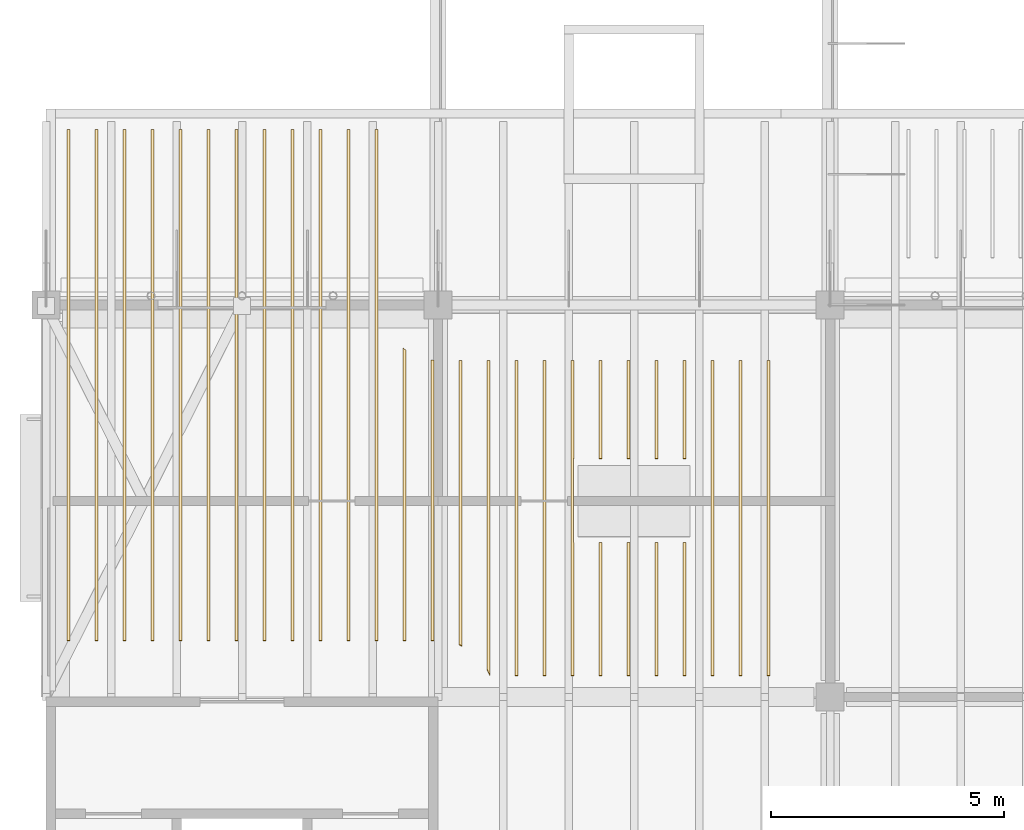
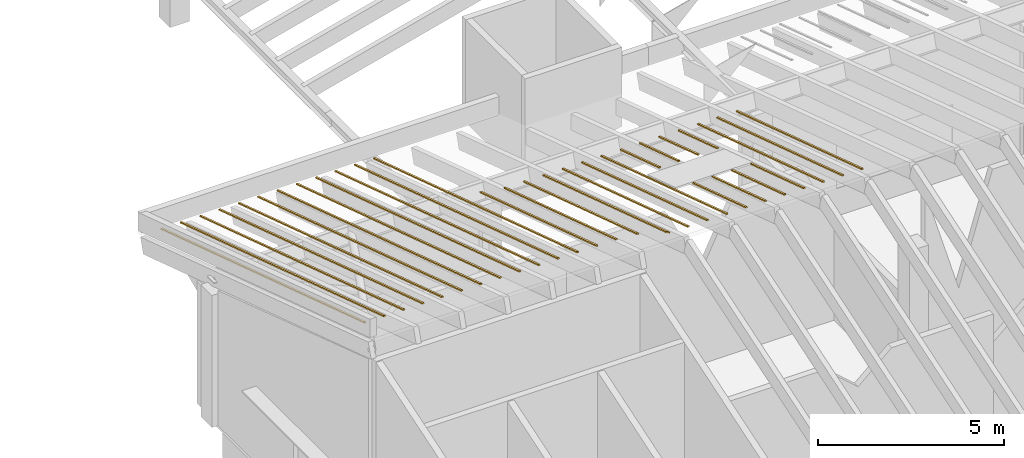
# One storey, part 36 of 59: 30 coverings.
"""IFC4 building model written with IfcOpenShell, lengths in metres."""

from ifc_helpers import new_model, si_unit, direction, frame, origin, place, context, subcontext, project, spatial, polyline, outline, extrude, material, layer, layer_set, type_object, element, save


model = new_model("IFC4")

# Units and contexts
model_context = context("Model", 3, precision=1e-05, world=origin(), true_north=direction((0.0, 1.0)))
body_context = subcontext(model_context, "Body", "Model", "MODEL_VIEW")
ifc_project = project(units=[si_unit("LENGTHUNIT", "METRE"), si_unit("AREAUNIT", "SQUARE_METRE"), si_unit("VOLUMEUNIT", "CUBIC_METRE"), si_unit("PLANEANGLEUNIT", "RADIAN"), si_unit("MASSUNIT", "GRAM", prefix="KILO")], contexts=[model_context])

# Site, building, storey
site_placement = place(None, origin())
site = spatial("IfcSite", under=ifc_project, at=site_placement, CompositionType="ELEMENT")
building_placement = place(site_placement, origin())
building = spatial("IfcBuilding", under=site, at=building_placement, Name="Almond Square Museum", CompositionType="ELEMENT")
storey_placement = place(building_placement, frame((0.0, 0.0, 25.0)))
storey = spatial("IfcBuildingStorey", under=building, at=storey_placement, Name="L04", CompositionType="ELEMENT", Elevation=25.0)

# Coverings
ifc_material = material(Name="Zinc standing seam")
ifc_layer = layer(ifc_material, 0.0400390625)
ifc_layer_set = layer_set([ifc_layer], Name="Zinc standing seam")
covering_type = type_object("IfcCoveringType", Name="Roof standing seam rib 60 x 40", PredefinedType="CLADDING", material=ifc_layer_set)
for number, where, z_axis, x_axis, name in (
    (1, (6.510009765625, 9.60009765625, 7.33935546875), (0.0, 0.30901750656, 0.951056349876), (0.0, 0.951056349876, -0.30901750656), "Roof standing seam rib"),
    (2, (7.110107421875, 9.60009765625, 7.33935546875), (0.0, 0.30901750656, 0.951056349876), (0.0, 0.951056349876, -0.30901750656), "Roof standing seam rib"),
    (3, (7.7099609375, 9.60009765625, 7.33935546875), (0.0, 0.30901750656, 0.951056349876), (0.0, 0.951056349876, -0.30901750656), "Roof standing seam rib"),
    (4, (8.31005859375, 9.60009765625, 7.33935546875), (0.0, 0.30901750656, 0.951056349876), (0.0, 0.951056349876, -0.30901750656), "Roof standing seam rib"),
):
    element("IfcCovering", number, at=place(storey_placement, frame(where, z_axis=z_axis, x_axis=x_axis)), inside=storey, type_object=covering_type, Name=name, PredefinedType="CLADDING", context=body_context, shape_type="SweptSolid", body=[
        extrude(outline(polyline([(0.0, 0.0), (11.513462029147188, 0.0), (11.513462029147188, 0.06005859375), (0.0, 0.06005859375), (0.0, 0.0)])), origin(), (0.0, 0.0, 1.0), 0.0400390625),
    ])
covering_1_placement = place(storey_placement, frame((8.909912109375, 9.60009765625, 7.33935546875), z_axis=(0.0, 0.30901750656, 0.951056349876), x_axis=(0.0, 0.951056349876, -0.30901750656)))
element("IfcCovering", 5, at=covering_1_placement, inside=storey, type_object=covering_type, Name="Roof standing seam rib", PredefinedType="CLADDING", context=body_context, shape_type="SweptSolid", body=[
    extrude(outline(polyline([(0.0, 0.0), (11.513462029147188, 0.0), (11.513462029147188, 0.059814453125), (0.0, 0.059814453125), (0.0, 0.0)])), origin(), (0.0, 0.0, 1.0), 0.0400390625),
])
for number, where, z_axis, x_axis, name in (
    (6, (9.510009765625, 9.60009765625, 7.33935546875), (0.0, 0.30901750656, 0.951056349876), (0.0, 0.951056349876, -0.30901750656), "Roof standing seam rib"),
    (7, (10.110107421875, 9.60009765625, 7.33935546875), (0.0, 0.30901750656, 0.951056349876), (0.0, 0.951056349876, -0.30901750656), "Roof standing seam rib"),
    (8, (10.7099609375, 9.60009765625, 7.33935546875), (0.0, 0.30901750656, 0.951056349876), (0.0, 0.951056349876, -0.30901750656), "Roof standing seam rib"),
    (9, (11.31005859375, 9.60009765625, 7.33935546875), (0.0, 0.30901750656, 0.951056349876), (0.0, 0.951056349876, -0.30901750656), "Roof standing seam rib"),
):
    element("IfcCovering", number, at=place(storey_placement, frame(where, z_axis=z_axis, x_axis=x_axis)), inside=storey, type_object=covering_type, Name=name, PredefinedType="CLADDING", context=body_context, shape_type="SweptSolid", body=[
        extrude(outline(polyline([(0.0, 0.0), (11.513462029147188, 0.0), (11.513462029147188, 0.06005859375), (0.0, 0.06005859375), (0.0, 0.0)])), origin(), (0.0, 0.0, 1.0), 0.0400390625),
    ])
covering_2_placement = place(storey_placement, frame((11.909912109375, 9.60009765625, 7.33935546875), z_axis=(0.0, 0.30901750656, 0.951056349876), x_axis=(0.0, 0.951056349876, -0.30901750656)))
element("IfcCovering", 10, at=covering_2_placement, inside=storey, type_object=covering_type, Name="Roof standing seam rib", PredefinedType="CLADDING", context=body_context, shape_type="SweptSolid", body=[
    extrude(outline(polyline([(0.0, 0.0), (11.513462029147188, 0.0), (11.513462029147188, 0.059814453125), (0.0, 0.059814453125), (0.0, 0.0)])), origin(), (0.0, 0.0, 1.0), 0.0400390625),
])
for number, where, z_axis, x_axis, name in (
    (11, (12.510009765625, 9.60009765625, 7.33935546875), (0.0, 0.30901750656, 0.951056349876), (0.0, 0.951056349876, -0.30901750656), "Roof standing seam rib"),
    (12, (13.110107421875, 9.60009765625, 7.33935546875), (0.0, 0.30901750656, 0.951056349876), (0.0, 0.951056349876, -0.30901750656), "Roof standing seam rib"),
):
    element("IfcCovering", number, at=place(storey_placement, frame(where, z_axis=z_axis, x_axis=x_axis)), inside=storey, type_object=covering_type, Name=name, PredefinedType="CLADDING", context=body_context, shape_type="SweptSolid", body=[
        extrude(outline(polyline([(0.0, 0.0), (11.513462029147188, 0.0), (11.513462029147188, 0.06005859375), (0.0, 0.06005859375), (0.0, 0.0)])), origin(), (0.0, 0.0, 1.0), 0.0400390625),
    ])
covering_3_placement = place(storey_placement, frame((13.64990234375, 9.60009765625, 7.33935546875), z_axis=(0.000256242979, 0.309003627529, 0.951060824823), x_axis=(0.99999996717, -7.9180013e-05, -0.000243702667)))
element("IfcCovering", 13, at=covering_3_placement, inside=storey, type_object=covering_type, Name="Roof standing seam rib", PredefinedType="CLADDING", context=body_context, shape_type="SweptSolid", body=[
    extrude(outline(polyline([(0.0, 0.0), (0.060058591778262393, 0.0), (0.06005859572173767, 6.539525980668153), (-3.943475276467663e-09, 6.586236012509769), (0.0, 0.0)])), origin(), (0.0, 0.0, 1.0), 0.0400390625),
])
covering_4_placement = place(storey_placement, frame((14.31005859375, 15.6044921875, 5.388427734375), z_axis=(0.000237481739, 0.309012213447, 0.951058040049), x_axis=(-0.994355528187, 0.100979414841, -0.032561347371)))
element("IfcCovering", 14, at=covering_4_placement, inside=storey, type_object=covering_type, Name="Roof standing seam rib", PredefinedType="CLADDING", context=body_context, shape_type="SweptSolid", body=[
    extrude(outline(polyline([(0.0, 0.0), (0.060399520528310234, -5.421010862427522e-19), (-0.6101254871857762, 6.284124969813064), (-0.6698450818962156, 6.277752804763383), (0.0, 0.0)])), origin(), (0.0, 0.0, 1.0), 0.0400390625),
])
covering_5_placement = place(storey_placement, frame((14.909912109375, 15.60009765625, 5.389892578125), z_axis=(-0.00118391383, 0.309009275505, 0.951058287383), x_axis=(-0.999999299174, -0.000365840611, -0.001125971849)))
element("IfcCovering", 15, at=covering_5_placement, inside=storey, type_object=covering_type, Name="Roof standing seam rib", PredefinedType="CLADDING", context=body_context, shape_type="SweptSolid", body=[
    extrude(outline(polyline([(0.0, 0.0), (0.059814411205462686, -3.2425480012078685e-21), (0.05981449504456669, 6.401404306245597), (-8.38391040055772e-08, 6.43020117002597), (0.0, 0.0)])), origin(), (0.0, 0.0, 1.0), 0.0400390625),
])
covering_6_placement = place(storey_placement, frame((15.510009765625, 15.60009765625, 5.389892578125), z_axis=(0.000107203114, 0.309010646534, 0.951058572768), x_axis=(-0.999999994254, 3.3126904e-05, 0.000101956441)))
element("IfcCovering", 16, at=covering_6_placement, inside=storey, type_object=covering_type, Name="Roof standing seam rib", PredefinedType="CLADDING", context=body_context, shape_type="SweptSolid", body=[
    extrude(outline(polyline([(0.0, 0.0), (0.060058593404888075, -4.069728613760896e-22), (0.06005859409511193, 6.961303551462021), (-6.902238563143669e-10, 7.09170504431203), (0.0, 0.0)])), origin(), (0.0, 0.0, 1.0), 0.0400390625),
])
for number, where, z_axis, x_axis, name in (
    (17, (16.050048828125, 8.85009765625, 7.5830078125), (0.0, 0.309005178422, 0.95106035545), (1.0, 0.0, 0.0), "Roof standing seam rib"),
    (18, (16.64990234375, 8.85009765625, 7.5830078125), (0.0, 0.309005178422, 0.95106035545), (1.0, 0.0, 0.0), "Roof standing seam rib"),
):
    element("IfcCovering", number, at=place(storey_placement, frame(where, z_axis=z_axis, x_axis=x_axis)), inside=storey, type_object=covering_type, Name=name, PredefinedType="CLADDING", context=body_context, shape_type="SweptSolid", body=[
        extrude(outline(polyline([(0.0, 0.0), (0.06005859375, 0.0), (0.06005859375, 7.0973413635845155), (0.0, 7.0973413635845155), (0.0, 0.0)])), origin(), (0.0, 0.0, 1.0), 0.0400390625),
    ])
covering_7_placement = place(storey_placement, frame((17.300048828125, 13.5, 6.072265625), z_axis=(0.000333647789, 0.309008046431, 0.951059365087), x_axis=(0.99999994434, -0.000103099857, -0.000317318872)))
element("IfcCovering", 19, at=covering_7_placement, inside=storey, type_object=covering_type, Name="Roof standing seam rib", PredefinedType="CLADDING", context=body_context, shape_type="SweptSolid", body=[
    extrude(outline(polyline([(0.0, 0.0), (0.010009765067852188, 1.3565762045869654e-22), (0.010009775144896956, 2.2081764286342733), (-0.050048815262216176, 2.2081764286342733), (-0.0500488080784303, -4.889164934917583), (0.010009782328682833, -4.889164934917583), (0.010009808170567458, -1.892635596065141), (4.310271527099407e-08, -1.892635596065141), (0.0, 0.0)])), origin(), (0.0, 0.0, 1.0), 0.0400390625),
])
covering_8_placement = place(storey_placement, frame((17.85009765625, 13.5, 6.072265625), z_axis=(0.0, 0.30902107185, 0.951055191433), x_axis=(1.0, 0.0, 0.0)))
element("IfcCovering", 20, at=covering_8_placement, inside=storey, type_object=covering_type, Name="Roof standing seam rib", PredefinedType="CLADDING", context=body_context, shape_type="SweptSolid", body=[
    extrude(outline(polyline([(0.0, 0.0), (0.059814453125, 0.0), (0.059814453125, 2.208176428840824), (0.0, 2.208176428840824), (0.0, 0.0)])), origin(), (0.0, 0.0, 1.0), 0.0400390625),
])
covering_9_placement = place(storey_placement, frame((17.85009765625, 11.699951171875, 6.656982421875), z_axis=(0.0, 0.309032645971, 0.951051430641), x_axis=(0.0, -0.951051430641, 0.309032645971)))
element("IfcCovering", 21, at=covering_9_placement, inside=storey, type_object=covering_type, Name="Roof standing seam rib", PredefinedType="CLADDING", context=body_context, shape_type="SweptSolid", body=[
    extrude(outline(polyline([(0.0, 0.0), (2.9965293398534176, 0.0), (2.9965293398534176, 0.059814453125), (0.0, 0.059814453125), (0.0, 0.0)])), origin(), (0.0, 0.0, 1.0), 0.0400390625),
])
covering_10_placement = place(storey_placement, frame((18.449951171875, 13.5, 6.072265625), z_axis=(0.0, 0.30902107185, 0.951055191433), x_axis=(1.0, 0.0, 0.0)))
element("IfcCovering", 22, at=covering_10_placement, inside=storey, type_object=covering_type, Name="Roof standing seam rib", PredefinedType="CLADDING", context=body_context, shape_type="SweptSolid", body=[
    extrude(outline(polyline([(0.0, 0.0), (0.06005859375, 0.0), (0.06005859375, 2.208176428840824), (0.0, 2.208176428840824), (0.0, 0.0)])), origin(), (0.0, 0.0, 1.0), 0.0400390625),
])
covering_11_placement = place(storey_placement, frame((18.449951171875, 11.699951171875, 6.656982421875), z_axis=(0.0, 0.309032645971, 0.951051430641), x_axis=(0.0, -0.951051430641, 0.309032645971)))
element("IfcCovering", 23, at=covering_11_placement, inside=storey, type_object=covering_type, Name="Roof standing seam rib", PredefinedType="CLADDING", context=body_context, shape_type="SweptSolid", body=[
    extrude(outline(polyline([(0.0, 0.0), (2.9965293398534176, 0.0), (2.9965293398534176, 0.060058593750000014), (0.0, 0.060058593750000014), (0.0, 0.0)])), origin(), (0.0, 0.0, 1.0), 0.0400390625),
])
covering_12_placement = place(storey_placement, frame((19.050048828125, 13.5, 6.072265625), z_axis=(0.0, 0.30902107185, 0.951055191433), x_axis=(1.0, 0.0, 0.0)))
element("IfcCovering", 24, at=covering_12_placement, inside=storey, type_object=covering_type, Name="Roof standing seam rib", PredefinedType="CLADDING", context=body_context, shape_type="SweptSolid", body=[
    extrude(outline(polyline([(0.0, 0.0), (0.06005859375, 0.0), (0.06005859375, 2.208176428840824), (0.0, 2.208176428840824), (0.0, 0.0)])), origin(), (0.0, 0.0, 1.0), 0.0400390625),
])
covering_13_placement = place(storey_placement, frame((19.050048828125, 11.699951171875, 6.656982421875), z_axis=(0.0, 0.309032645971, 0.951051430641), x_axis=(0.0, -0.951051430641, 0.309032645971)))
element("IfcCovering", 25, at=covering_13_placement, inside=storey, type_object=covering_type, Name="Roof standing seam rib", PredefinedType="CLADDING", context=body_context, shape_type="SweptSolid", body=[
    extrude(outline(polyline([(0.0, 0.0), (2.9965293398534176, 0.0), (2.9965293398534176, 0.060058593750000014), (0.0, 0.060058593750000014), (0.0, 0.0)])), origin(), (0.0, 0.0, 1.0), 0.0400390625),
])
covering_14_placement = place(storey_placement, frame((19.64990234375, 13.5, 6.072265625), z_axis=(0.0, 0.30902107185, 0.951055191433), x_axis=(1.0, 0.0, 0.0)))
element("IfcCovering", 26, at=covering_14_placement, inside=storey, type_object=covering_type, Name="Roof standing seam rib", PredefinedType="CLADDING", context=body_context, shape_type="SweptSolid", body=[
    extrude(outline(polyline([(0.0, 0.0), (0.06005859375, 0.0), (0.06005859375, 2.208176428840824), (0.0, 2.208176428840824), (0.0, 0.0)])), origin(), (0.0, 0.0, 1.0), 0.0400390625),
])
covering_15_placement = place(storey_placement, frame((19.64990234375, 11.699951171875, 6.656982421875), z_axis=(0.0, 0.309032645971, 0.951051430641), x_axis=(0.0, -0.951051430641, 0.309032645971)))
element("IfcCovering", 27, at=covering_15_placement, inside=storey, type_object=covering_type, Name="Roof standing seam rib", PredefinedType="CLADDING", context=body_context, shape_type="SweptSolid", body=[
    extrude(outline(polyline([(0.0, 0.0), (2.9965293398534176, 0.0), (2.9965293398534176, 0.060058593750000014), (0.0, 0.060058593750000014), (0.0, 0.0)])), origin(), (0.0, 0.0, 1.0), 0.0400390625),
])
covering_16_placement = place(storey_placement, frame((20.25, 8.85009765625, 7.5830078125), z_axis=(0.0, 0.309005178422, 0.95106035545), x_axis=(1.0, 0.0, 0.0)))
element("IfcCovering", 28, at=covering_16_placement, inside=storey, type_object=covering_type, Name="Roof standing seam rib", PredefinedType="CLADDING", context=body_context, shape_type="SweptSolid", body=[
    extrude(outline(polyline([(0.0, 0.0), (0.06005859375, 0.0), (0.06005859375, 7.0973413635845155), (0.0, 7.0973413635845155), (0.0, 0.0)])), origin(), (0.0, 0.0, 1.0), 0.0400390625),
])
covering_17_placement = place(storey_placement, frame((20.85009765625, 8.85009765625, 7.5830078125), z_axis=(0.0, 0.309005178422, 0.95106035545), x_axis=(1.0, 0.0, 0.0)))
element("IfcCovering", 29, at=covering_17_placement, inside=storey, type_object=covering_type, Name="Roof standing seam rib", PredefinedType="CLADDING", context=body_context, shape_type="SweptSolid", body=[
    extrude(outline(polyline([(0.0, 0.0), (0.059814453125, 0.0), (0.059814453125, 7.0973413635845155), (0.0, 7.0973413635845155), (0.0, 0.0)])), origin(), (0.0, 0.0, 1.0), 0.0400390625),
])
covering_18_placement = place(storey_placement, frame((21.449951171875, 8.85009765625, 7.5830078125), z_axis=(0.0, 0.309005178422, 0.95106035545), x_axis=(1.0, 0.0, 0.0)))
element("IfcCovering", 30, at=covering_18_placement, inside=storey, type_object=covering_type, Name="Roof standing seam rib", PredefinedType="CLADDING", context=body_context, shape_type="SweptSolid", body=[
    extrude(outline(polyline([(0.0, 0.0), (0.06005859375, 0.0), (0.06005859375, 7.0973413635845155), (0.0, 7.0973413635845155), (0.0, 0.0)])), origin(), (0.0, 0.0, 1.0), 0.0400390625),
])

save(model, "model.ifc")
